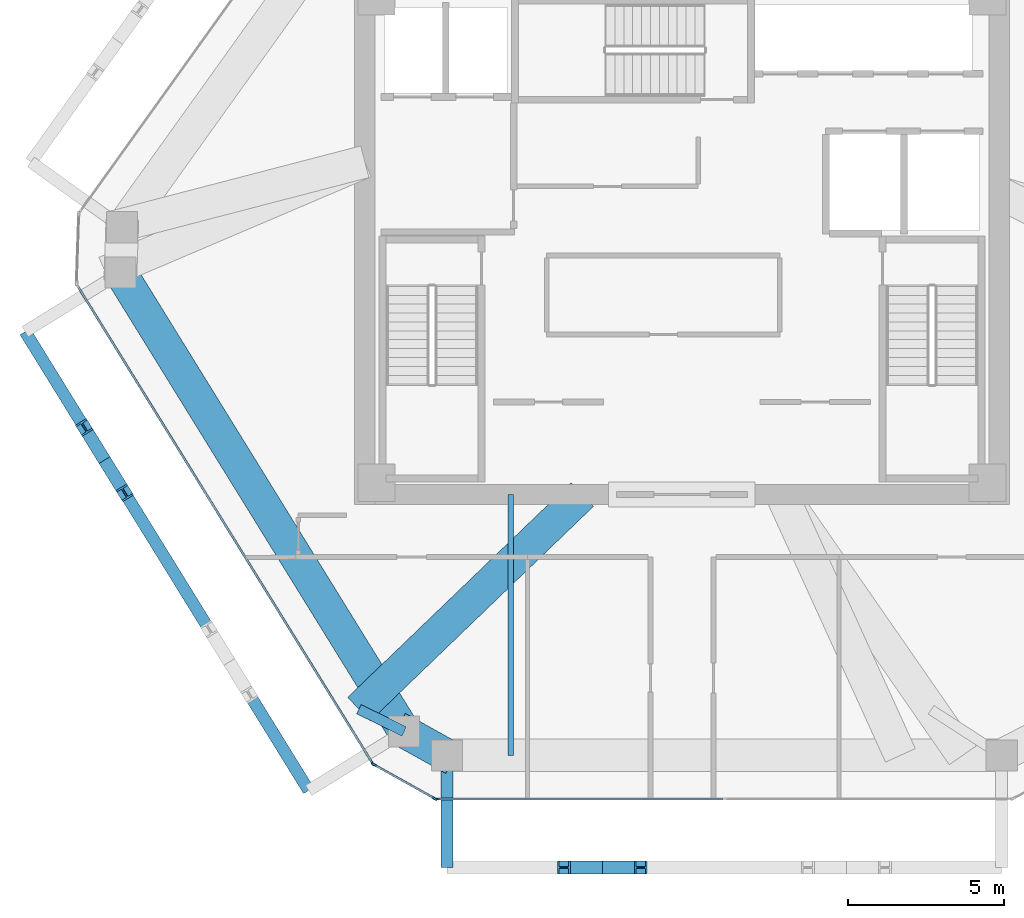
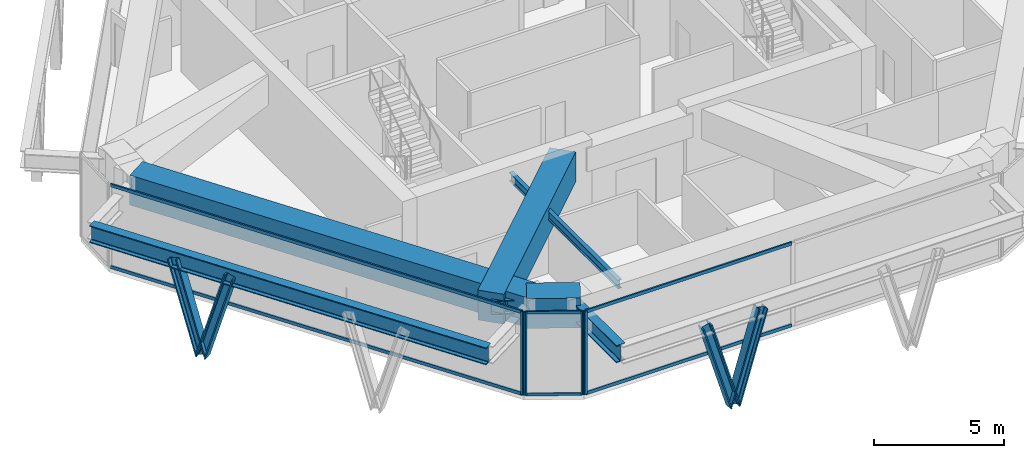
# One storey, part 2 of 11: 14 members, 7 beams, 3 elements without a shape of their own.
"""IFC4 building model written with IfcOpenShell, lengths in metres."""

from ifc_helpers import new_model, si_unit, direction, frame, origin, origin_2d, place, context, subcontext, project, spatial, rectangle, i_section, extrude, source, transform, mapped, material, layer, layer_set, material_profile, profile_set, type_object, type_shapes, element, aggregate, save


model = new_model("IFC4")

# Units and contexts
model_context = context("Model", 3, precision=1e-05, world=origin(), true_north=direction((0.0, 1.0)))
body_context = subcontext(model_context, "Body", "Model", "MODEL_VIEW")
ifc_project = project(units=[si_unit("LENGTHUNIT", "METRE"), si_unit("AREAUNIT", "SQUARE_METRE"), si_unit("VOLUMEUNIT", "CUBIC_METRE"), si_unit("PLANEANGLEUNIT", "RADIAN"), si_unit("MASSUNIT", "GRAM", prefix="KILO")], contexts=[model_context])

# Site, building, storey
site_placement = place(None, origin())
site = spatial("IfcSite", under=ifc_project, at=site_placement, CompositionType="ELEMENT")
building_placement = place(site_placement, origin())
building = spatial("IfcBuilding", under=site, at=building_placement, Name="Durnholm Broadcast Tower", CompositionType="ELEMENT")
storey_placement = place(building_placement, frame((0.0, 0.0, 209.199951171875)))
storey = spatial("IfcBuildingStorey", under=building, at=storey_placement, Name="L58", CompositionType="ELEMENT", Elevation=209.199951171875)

# Beams
ifc_material_1 = material(Name="Steel ASTM A992 Grade 50", Category="steel")
ifc_material_profile_1 = material_profile(ifc_material_1, i_section(OverallWidth=0.385009765625, OverallDepth=0.802978515625, WebThickness=0.023681640625, FlangeThickness=0.0419921875, FilletRadius=0.032958984375, at=origin_2d()), Name="W30X261")
ifc_profile_set_1 = profile_set([ifc_material_profile_1], Name="Steel ASTM A992 Grade 50")
beam_type_1 = type_object("IfcBeamType", Name="BM-EXO-TIE", PredefinedType="USERDEFINED", material=ifc_profile_set_1)
shared_shape_1 = source(origin(), body_context, "Body", "SweptSolid", [
    extrude(i_section(OverallWidth=0.385009765625, OverallDepth=0.802978515625, WebThickness=0.023681640625, FlangeThickness=0.0419921875, FilletRadius=0.032958984375, at=origin_2d()), origin(), (0.0, 0.0, 1.0), 3.4560546875),
])
beam_1_placement = place(storey_placement, frame((-7.53955078125, -16.68603515625, 3.1484375), z_axis=(0.0, -1.0, 0.0), x_axis=(1.0, 0.0, 0.0)))
element("IfcBeam", 1, at=beam_1_placement, inside=storey, type_object=beam_type_1, Name="L58 exoskeleton stand-off tie bracket F1.1", ObjectType="GIRDER", PredefinedType="USERDEFINED", context=body_context, shape_type="MappedRepresentation", body=[
    mapped(shared_shape_1, transform((0.0, 0.0, 0.0), x_axis=(1.0, 0.0, 0.0), y_axis=(0.0, 1.0, 0.0), z_axis=(0.0, 0.0, 1.0), scale=1.0)),
])
shared_shape_2 = source(origin(), body_context, "Body", "SweptSolid", [
    extrude(i_section(OverallWidth=0.385009765625, OverallDepth=0.802978515625, WebThickness=0.023681640625, FlangeThickness=0.0419921875, FilletRadius=0.032958984375, at=origin_2d()), origin(), (0.0, 0.0, 1.0), 17.303466796875),
])
type_shapes(beam_type_1, [shared_shape_1, shared_shape_2])
beam_2_placement = place(storey_placement, frame((-21.071533203125, -2.94921875, 3.1484375), z_axis=(0.525701634347, -0.850669025911, 0.0), x_axis=(0.850669025911, 0.525701634347, 0.0)))
element("IfcBeam", 2, at=beam_2_placement, inside=storey, type_object=beam_type_1, Name="L58 exoskeleton collector spandrel F6", PredefinedType="SPANDREL", context=body_context, shape_type="MappedRepresentation", body=[
    mapped(shared_shape_2, transform((0.0, 0.0, 0.0), x_axis=(1.0, 0.0, 0.0), y_axis=(0.0, 1.0, 0.0), z_axis=(0.0, 0.0, 1.0), scale=1.0)),
])
ifc_material_profile_2 = material_profile(ifc_material_1, i_section(OverallWidth=0.177734375, OverallDepth=0.40673828125, WebThickness=0.0078125, FlangeThickness=0.0126953125, FilletRadius=0.01904296875, at=origin_2d()), Name="W16X40")
ifc_profile_set_2 = profile_set([ifc_material_profile_2], Name="Steel ASTM A992 Grade 50")
beam_type_2 = type_object("IfcBeamType", Name="STL-BJ-W16X40", PredefinedType="JOIST", material=ifc_profile_set_2)
shared_shape_3 = source(origin(), body_context, "Body", "SweptSolid", [
    extrude(i_section(OverallWidth=0.177734375, OverallDepth=0.40673828125, WebThickness=0.0078125, FlangeThickness=0.0126953125, FilletRadius=0.01904296875, at=origin_2d()), origin(), (0.0, 0.0, 1.0), 8.366943359375),
])
type_shapes(beam_type_2, [shared_shape_3])
beam_3_placement = place(storey_placement, frame((-5.5, -16.5419921875, 3.4765625), z_axis=(0.0, 1.0, 0.0), x_axis=(-1.0, 0.0, 0.0)))
element("IfcBeam", 3, at=beam_3_placement, inside=storey, type_object=beam_type_2, Name="L58 secondary floor joist 3.1", PredefinedType="JOIST", context=body_context, shape_type="MappedRepresentation", body=[
    mapped(shared_shape_3, transform((0.0, 0.0, 0.0), x_axis=(1.0, 0.0, 0.0), y_axis=(0.0, 1.0, 0.0), z_axis=(0.0, 0.0, 1.0), scale=1.0)),
])
ifc_material_2 = material(Name="Concrete C70/85", Category="concrete")
ifc_material_profile_3 = material_profile(ifc_material_2, rectangle(XDim=1.050048828125, YDim=1.39990234375, at=origin_2d()), Name="RC1050X1400")
ifc_profile_set_3 = profile_set([ifc_material_profile_3], Name="Concrete C70/85")
beam_type_3 = type_object("IfcBeamType", Name="BM-TG-RC1400", PredefinedType="USERDEFINED", material=ifc_profile_set_3)
shared_shape_4 = source(origin(), body_context, "Body", "SweptSolid", [
    extrude(rectangle(XDim=1.050048828125, YDim=1.39990234375, at=origin_2d()), origin(), (0.0, 0.0, 1.0), 17.3037109375),
])
beam_4_placement = place(storey_placement, frame((-8.91259765625, -15.7763671875, 3.199951171875), z_axis=(-0.525695324718, 0.850672925142, 0.0), x_axis=(-0.850672925142, -0.525695324718, 0.0)))
element("IfcBeam", 4, at=beam_4_placement, inside=storey, type_object=beam_type_3, Name="L58 perimeter transfer spandrel girder 01", PredefinedType="SPANDREL", context=body_context, shape_type="MappedRepresentation", body=[
    mapped(shared_shape_4, transform((0.0, 0.0, 0.0), x_axis=(1.0, 0.0, 0.0), y_axis=(0.0, 1.0, 0.0), z_axis=(0.0, 0.0, 1.0), scale=1.0)),
])
shared_shape_5 = source(origin(), body_context, "Body", "SweptSolid", [
    extrude(rectangle(XDim=1.050048828125, YDim=1.39990234375, at=origin_2d()), origin(), (0.0, 0.0, 1.0), 2.072265625),
])
beam_5_placement = place(storey_placement, frame((-7.3212890625, -16.663818359375, 3.199951171875), z_axis=(-0.873372548397, 0.487052760701, 0.0), x_axis=(-0.487052760701, -0.873372548397, 0.0)))
element("IfcBeam", 5, at=beam_5_placement, inside=storey, type_object=beam_type_3, Name="L58 perimeter transfer spandrel girder 12", PredefinedType="SPANDREL", context=body_context, shape_type="MappedRepresentation", body=[
    mapped(shared_shape_5, transform((0.0, 0.0, 0.0), x_axis=(1.0, 0.0, 0.0), y_axis=(0.0, 1.0, 0.0), z_axis=(0.0, 0.0, 1.0), scale=1.0)),
])
shared_shape_6 = source(origin(), body_context, "Body", "SweptSolid", [
    extrude(rectangle(XDim=1.050048828125, YDim=1.39990234375, at=origin_2d()), origin(), (0.0, 0.0, 1.0), 9.935302734375),
])
type_shapes(beam_type_3, [shared_shape_4, shared_shape_5, shared_shape_6])
beam_6_placement = place(storey_placement, frame((-3.199951171875, -8.175048828125, 3.199951171875), z_axis=(-0.720793871932, -0.693149474634, 0.0), x_axis=(0.693149474634, -0.720793871932, 0.0)))
element("IfcBeam", 6, at=beam_6_placement, inside=storey, type_object=beam_type_3, Name="L58 radial setback transfer girder 01", ObjectType="GIRDER", PredefinedType="USERDEFINED", context=body_context, shape_type="MappedRepresentation", body=[
    mapped(shared_shape_6, transform((0.0, 0.0, 0.0), x_axis=(1.0, 0.0, 0.0), y_axis=(0.0, 1.0, 0.0), z_axis=(0.0, 0.0, 1.0), scale=1.0)),
])
ifc_material_profile_4 = material_profile(ifc_material_1, i_section(OverallWidth=0.3291015625, OverallDepth=0.635009765625, WebThickness=0.017822265625, FlangeThickness=0.031005859375, FilletRadius=0.02783203125, at=origin_2d()), Name="W24X162")
ifc_profile_set_4 = profile_set([ifc_material_profile_4], Name="Steel ASTM A992 Grade 50")
beam_type_4 = type_object("IfcBeamType", Name="STL-SP-W24X162", PredefinedType="SPANDREL", material=ifc_profile_set_4)
shared_shape_7 = source(origin(), body_context, "Body", "SweptSolid", [
    extrude(i_section(OverallWidth=0.3291015625, OverallDepth=0.635009765625, WebThickness=0.017822265625, FlangeThickness=0.031005859375, FilletRadius=0.02783203125, at=origin_2d()), origin(), (0.0, 0.0, 1.0), 1.615478515625),
])
type_shapes(beam_type_4, [shared_shape_7])
beam_7_placement = place(storey_placement, frame((-8.91259765625, -15.7763671875, 3.280029296875), z_axis=(-0.896832267975, 0.44237075301, 0.0), x_axis=(-0.44237075301, -0.896832267975, 0.0)))
element("IfcBeam", 7, at=beam_7_placement, inside=storey, type_object=beam_type_4, Name="L58 perimeter column collector tie 01", ObjectType="GIRDER", PredefinedType="USERDEFINED", context=body_context, shape_type="MappedRepresentation", body=[
    mapped(shared_shape_7, transform((0.0, 0.0, 0.0), x_axis=(1.0, 0.0, 0.0), y_axis=(0.0, 1.0, 0.0), z_axis=(0.0, 0.0, 1.0), scale=1.0)),
])

# Members
ifc_material_3 = material(Name="Steel ASTM A913 Grade 65", Category="steel")
ifc_material_profile_5 = material_profile(ifc_material_3, i_section(OverallWidth=0.412109375, OverallDepth=0.434814453125, WebThickness=0.035888671875, FlangeThickness=0.057373046875, FilletRadius=0.030517578125, at=origin_2d()), Name="W14X311")
ifc_profile_set_5 = profile_set([ifc_material_profile_5], Name="Steel ASTM A913 Grade 65")
member_type_1 = type_object("IfcMemberType", Name="STL-DG-W14X311", PredefinedType="BRACE", material=ifc_profile_set_5)
shared_shape_8 = source(origin(), body_context, "Body", "SweptSolid", [
    extrude(i_section(OverallWidth=0.412109375, OverallDepth=0.434814453125, WebThickness=0.035888671875, FlangeThickness=0.057373046875, FilletRadius=0.030517578125, at=origin_2d()), origin(), (0.0, 0.0, 1.0), 4.31982421875),
])
type_shapes(member_type_1, [shared_shape_8])
for number, where, z_axis, x_axis, name in (
    (8, (-2.556640625, -20.14208984375, -0.991455078125), (-0.285579302157, 0.0, 0.95835508147), (0.0, -1.0, 0.0), "L58 stand-off diagrid brace F1.D1.1"),
    (9, (-2.556640625, -20.14208984375, -0.991455078125), (0.285631208426, 0.0, 0.958339612441), (0.0, 1.0, 0.0), "L58 stand-off diagrid brace F1.D1.2"),
    (10, (-18.5244140625, -7.07080078125, -0.991455078125), (-0.150163114843, 0.242962450399, 0.958342468347), (-0.850644447398, -0.525741404219, 0.0), "L58 stand-off diagrid brace F6.D1.1"),
    (11, (-18.5244140625, -7.07080078125, -0.991455078125), (0.150107872479, -0.242964511969, 0.958350600012), (0.850732935913, 0.525598203719, 0.0), "L58 stand-off diagrid brace F6.D1.2"),
):
    element("IfcMember", number, at=place(storey_placement, frame(where, z_axis=z_axis, x_axis=x_axis)), inside=storey, type_object=member_type_1, Name=name, PredefinedType="BRACE", context=body_context, shape_type="MappedRepresentation", body=[
        mapped(shared_shape_8, transform((0.0, 0.0, 0.0), x_axis=(1.0, 0.0, 0.0), y_axis=(0.0, 1.0, 0.0), z_axis=(0.0, 0.0, 1.0), scale=1.0)),
    ])

# Curtain wall, members
ifc_material_4 = material(Name="Aluminium and Solar Control IGU", Category="aluminium")
ifc_layer_1 = layer(ifc_material_4, 0.1650390625)
ifc_layer_set_1 = layer_set([ifc_layer_1], Name="Aluminium and Solar Control IGU")
curtain_wall_type_1 = type_object("IfcCurtainWallType", Name="CW-SYS-5", PredefinedType="NOTDEFINED", material=ifc_layer_set_1)
curtain_wall_1_placement = place(storey_placement, origin())
curtain_wall_1 = element("IfcCurtainWall", 12, at=curtain_wall_1_placement, inside=storey, type_object=curtain_wall_type_1, Name="L58 curtain wall CW-CORNER CW-L58-CRN-11", PredefinedType="NOTDEFINED")
ifc_material_5 = material(Name="Aluminium 6063-T6", Category="aluminium")
ifc_material_profile_6 = material_profile(ifc_material_5, rectangle(XDim=0.06494140625, YDim=0.1298828125, at=origin_2d()), Name="CWT65X130")
ifc_profile_set_6 = profile_set([ifc_material_profile_6], Name="Aluminium 6063-T6")
member_type_2 = type_object("IfcMemberType", Name="CW-SYS-5-TRN", PredefinedType="USERDEFINED", material=ifc_profile_set_6)
shared_shape_9 = source(origin(), body_context, "Body", "SweptSolid", [
    extrude(rectangle(XDim=0.06494140625, YDim=0.1298828125, at=origin_2d()), origin(), (0.0, 0.0, 1.0), 2.169921875),
])
type_shapes(member_type_2, [shared_shape_9])
member_1_placement = place(storey_placement, frame((-7.960205078125, -17.910400390625, 0.032470703125), z_axis=(-0.873381360539, 0.487036958621, 0.0), x_axis=(-0.487036958621, -0.873381360539, 0.0)))
member_1 = element("IfcMember", 13, at=member_1_placement, type_object=member_type_2, Name="CW-CORNER transom 1.1", ObjectType="TRANSOM", PredefinedType="USERDEFINED", context=body_context, shape_type="MappedRepresentation", body=[
    mapped(shared_shape_9, transform((0.0, 0.0, 0.0), x_axis=(1.0, 0.0, 0.0), y_axis=(0.0, 1.0, 0.0), z_axis=(0.0, 0.0, 1.0), scale=1.0)),
])
member_2_placement = place(storey_placement, frame((-7.960205078125, -17.910400390625, 3.867431640625), z_axis=(-0.873381360539, 0.487036958621, 0.0), x_axis=(-0.487036958621, -0.873381360539, 0.0)))
member_2 = element("IfcMember", 14, at=member_2_placement, type_object=member_type_2, Name="CW-CORNER transom 1.2", ObjectType="TRANSOM", PredefinedType="USERDEFINED", context=body_context, shape_type="MappedRepresentation", body=[
    mapped(shared_shape_9, transform((0.0, 0.0, 0.0), x_axis=(1.0, 0.0, 0.0), y_axis=(0.0, 1.0, 0.0), z_axis=(0.0, 0.0, 1.0), scale=1.0)),
])

ifc_layer_2 = layer(ifc_material_4, 0.18994140625)
ifc_layer_set_2 = layer_set([ifc_layer_2], Name="Aluminium and Solar Control IGU")
curtain_wall_type_2 = type_object("IfcCurtainWallType", Name="CW-SYS-4", PredefinedType="NOTDEFINED", material=ifc_layer_set_2)
curtain_wall_2_placement = place(storey_placement, origin())
curtain_wall_2 = element("IfcCurtainWall", 15, at=curtain_wall_2_placement, inside=storey, type_object=curtain_wall_type_2, Name="L58 curtain wall CW-Z34-VIS CW-L58-F10", PredefinedType="NOTDEFINED")
ifc_material_profile_7 = material_profile(ifc_material_5, rectangle(XDim=0.070068359375, YDim=0.14990234375, at=origin_2d()), Name="CWT70X150")
ifc_profile_set_7 = profile_set([ifc_material_profile_7], Name="Aluminium 6063-T6")
member_type_3 = type_object("IfcMemberType", Name="CW-SYS-4-TRN", PredefinedType="USERDEFINED", material=ifc_profile_set_7)
shared_shape_10 = source(origin(), body_context, "Body", "SweptSolid", [
    extrude(rectangle(XDim=0.070068359375, YDim=0.14990234375, at=origin_2d()), origin(), (0.0, 0.0, 1.0), 9.14453125),
])
member_3_placement = place(storey_placement, frame((1.31103515625, -17.94189453125, 0.03515625), z_axis=(-1.0, 0.0, 0.0), x_axis=(0.0, -1.0, 0.0)))
member_3 = element("IfcMember", 16, at=member_3_placement, type_object=member_type_3, Name="CW-Z34-VIS transom 2.1", ObjectType="TRANSOM", PredefinedType="USERDEFINED", context=body_context, shape_type="MappedRepresentation", body=[
    mapped(shared_shape_10, transform((0.0, 0.0, 0.0), x_axis=(1.0, 0.0, 0.0), y_axis=(0.0, 1.0, 0.0), z_axis=(0.0, 0.0, 1.0), scale=1.0)),
])
member_4_placement = place(storey_placement, frame((1.31103515625, -17.94189453125, 3.864990234375), z_axis=(-1.0, 0.0, 0.0), x_axis=(0.0, -1.0, 0.0)))
member_4 = element("IfcMember", 17, at=member_4_placement, type_object=member_type_3, Name="CW-Z34-VIS transom 2.2", ObjectType="TRANSOM", PredefinedType="USERDEFINED", context=body_context, shape_type="MappedRepresentation", body=[
    mapped(shared_shape_10, transform((0.0, 0.0, 0.0), x_axis=(1.0, 0.0, 0.0), y_axis=(0.0, 1.0, 0.0), z_axis=(0.0, 0.0, 1.0), scale=1.0)),
])

curtain_wall_3_placement = place(storey_placement, origin())
curtain_wall_3 = element("IfcCurtainWall", 18, at=curtain_wall_3_placement, inside=storey, type_object=curtain_wall_type_2, Name="L58 curtain wall CW-Z34-VIS CW-L58-F12", PredefinedType="NOTDEFINED")
shared_shape_11 = source(origin(), body_context, "Body", "SweptSolid", [
    extrude(rectangle(XDim=0.070068359375, YDim=0.14990234375, at=origin_2d()), origin(), (0.0, 0.0, 1.0), 17.951171875),
])
type_shapes(member_type_3, [shared_shape_10, shared_shape_11])
member_5_placement = place(storey_placement, frame((-9.94921875, -16.762451171875, 0.03515625), z_axis=(-0.525693813807, 0.850673858847, 0.0), x_axis=(-0.850673858847, -0.525693813807, 0.0)))
member_5 = element("IfcMember", 19, at=member_5_placement, type_object=member_type_3, Name="CW-Z34-VIS transom 1.1", ObjectType="TRANSOM", PredefinedType="USERDEFINED", context=body_context, shape_type="MappedRepresentation", body=[
    mapped(shared_shape_11, transform((0.0, 0.0, 0.0), x_axis=(1.0, 0.0, 0.0), y_axis=(0.0, 1.0, 0.0), z_axis=(0.0, 0.0, 1.0), scale=1.0)),
])
member_6_placement = place(storey_placement, frame((-9.94921875, -16.762451171875, 3.864990234375), z_axis=(-0.525693813807, 0.850673858847, 0.0), x_axis=(-0.850673858847, -0.525693813807, 0.0)))
member_6 = element("IfcMember", 20, at=member_6_placement, type_object=member_type_3, Name="CW-Z34-VIS transom 1.2", ObjectType="TRANSOM", PredefinedType="USERDEFINED", context=body_context, shape_type="MappedRepresentation", body=[
    mapped(shared_shape_11, transform((0.0, 0.0, 0.0), x_axis=(1.0, 0.0, 0.0), y_axis=(0.0, 1.0, 0.0), z_axis=(0.0, 0.0, 1.0), scale=1.0)),
])

# Member
ifc_material_profile_8 = material_profile(ifc_material_5, rectangle(XDim=0.06494140625, YDim=0.1650390625, at=origin_2d()), Name="CWM65X165")
ifc_profile_set_8 = profile_set([ifc_material_profile_8], Name="Aluminium 6063-T6")
member_type_4 = type_object("IfcMemberType", Name="CW-SYS-5-MUL", PredefinedType="MULLION", material=ifc_profile_set_8)
shared_shape_12 = source(origin(), body_context, "Body", "SweptSolid", [
    extrude(rectangle(XDim=0.06494140625, YDim=0.1650390625, at=origin_2d()), origin(), (0.0, 0.0, 1.0), 3.900146484375),
])
type_shapes(member_type_4, [shared_shape_12])
member_7_placement = place(storey_placement, frame((-7.931884765625, -17.92626953125, 0.0), z_axis=(0.0, 0.0, 1.0), x_axis=(-0.486986043316, -0.873409751271, 0.0)))
member_7 = element("IfcMember", 21, at=member_7_placement, type_object=member_type_4, Name="CW-CORNER mullion 1", PredefinedType="MULLION", context=body_context, shape_type="MappedRepresentation", body=[
    mapped(shared_shape_12, transform((0.0, 0.0, 0.0), x_axis=(1.0, 0.0, 0.0), y_axis=(0.0, 1.0, 0.0), z_axis=(0.0, 0.0, 1.0), scale=1.0)),
])

member_8_placement = place(storey_placement, frame((-9.884033203125, -16.837646484375, 0.0), z_axis=(0.0, 0.0, 1.0), x_axis=(-0.486986043316, -0.873409751271, 0.0)))
member_8 = element("IfcMember", 22, at=member_8_placement, type_object=member_type_4, Name="CW-CORNER mullion 2", PredefinedType="MULLION", context=body_context, shape_type="MappedRepresentation", body=[
    mapped(shared_shape_12, transform((0.0, 0.0, 0.0), x_axis=(1.0, 0.0, 0.0), y_axis=(0.0, 1.0, 0.0), z_axis=(0.0, 0.0, 1.0), scale=1.0)),
])

aggregate(curtain_wall_1, [member_7, member_8, member_1, member_2])

ifc_material_profile_9 = material_profile(ifc_material_5, rectangle(XDim=0.070068359375, YDim=0.18994140625, at=origin_2d()), Name="CWM70X190")
ifc_profile_set_9 = profile_set([ifc_material_profile_9], Name="Aluminium 6063-T6")
member_type_5 = type_object("IfcMemberType", Name="CW-SYS-4-MUL", PredefinedType="MULLION", material=ifc_profile_set_9)
shared_shape_13 = source(origin(), body_context, "Body", "SweptSolid", [
    extrude(rectangle(XDim=0.070068359375, YDim=0.18994140625, at=origin_2d()), origin(), (0.0, 0.0, 1.0), 3.900146484375),
])
type_shapes(member_type_5, [shared_shape_13])
member_9_placement = place(storey_placement, frame((-7.868408203125, -17.94189453125, 0.0), z_axis=(0.0, 0.0, 1.0), x_axis=(0.0, -1.0, 0.0)))
member_9 = element("IfcMember", 23, at=member_9_placement, type_object=member_type_5, Name="CW-Z34-VIS mullion 3", PredefinedType="MULLION", context=body_context, shape_type="MappedRepresentation", body=[
    mapped(shared_shape_13, transform((0.0, 0.0, 0.0), x_axis=(1.0, 0.0, 0.0), y_axis=(0.0, 1.0, 0.0), z_axis=(0.0, 0.0, 1.0), scale=1.0)),
])

aggregate(curtain_wall_2, [member_9, member_3, member_4])

member_10_placement = place(storey_placement, frame((-9.9306640625, -16.792236328125, 0.0), z_axis=(0.0, 0.0, 1.0), x_axis=(-0.850671426092, -0.525697750452, 0.0)))
member_10 = element("IfcMember", 24, at=member_10_placement, type_object=member_type_5, Name="CW-Z34-VIS mullion 1", PredefinedType="MULLION", context=body_context, shape_type="MappedRepresentation", body=[
    mapped(shared_shape_13, transform((0.0, 0.0, 0.0), x_axis=(1.0, 0.0, 0.0), y_axis=(0.0, 1.0, 0.0), z_axis=(0.0, 0.0, 1.0), scale=1.0)),
])

aggregate(curtain_wall_3, [member_10, member_5, member_6])

save(model, "model.ifc")
